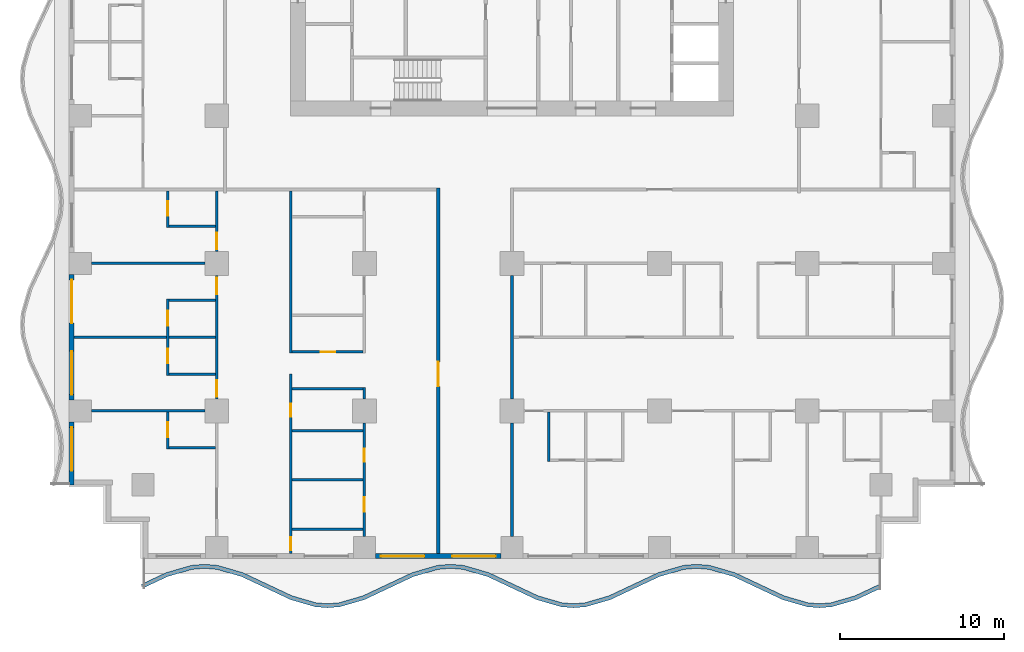
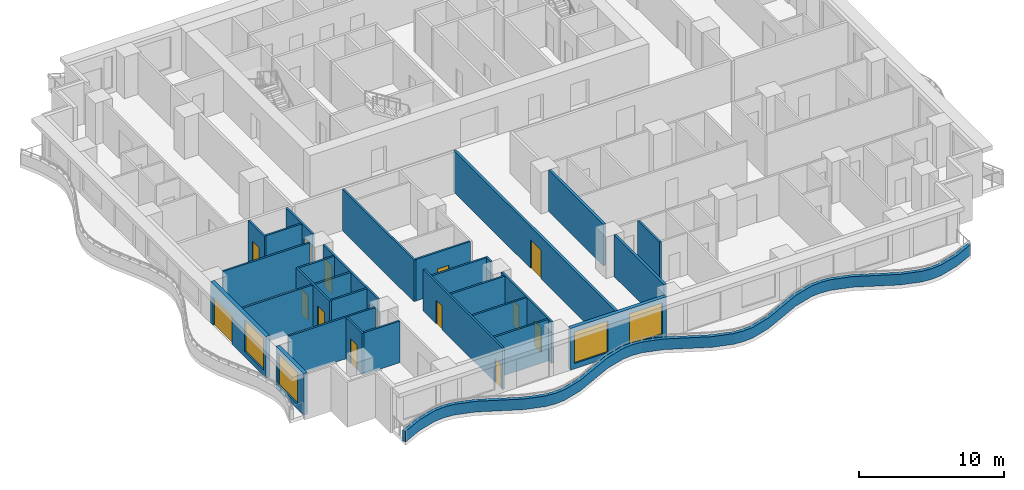
# One storey, part 2 of 14: 30 walls, 14 doors, 4 windows, 18 openings.
"""IFC4 building model written with IfcOpenShell, lengths in metres."""

from ifc_helpers import new_model, si_unit, direction, frame, frame_2d, origin, place, context, subcontext, project, spatial, polyline, rectangle, outline, extrude, material, layer, layer_set, type_object, element, fill, save


model = new_model("IFC4")

# Units and contexts
model_context = context("Model", 3, precision=1e-05, world=origin(), true_north=direction((0.0, 1.0)))
body_context = subcontext(model_context, "Body", "Model", "MODEL_VIEW")
ifc_project = project(units=[si_unit("LENGTHUNIT", "METRE"), si_unit("AREAUNIT", "SQUARE_METRE"), si_unit("VOLUMEUNIT", "CUBIC_METRE"), si_unit("PLANEANGLEUNIT", "RADIAN"), si_unit("MASSUNIT", "GRAM", prefix="KILO")], contexts=[model_context])

# Site, building, storey
site_placement = place(None, origin())
site = spatial("IfcSite", under=ifc_project, at=site_placement, CompositionType="ELEMENT")
building_placement = place(site_placement, origin())
building = spatial("IfcBuilding", under=site, at=building_placement, Name="Orbiselva Terraces", CompositionType="ELEMENT")
storey_placement = place(building_placement, frame((0.0, 0.0, 60.6)))
storey = spatial("IfcBuildingStorey", under=building, at=storey_placement, Name="L15", CompositionType="ELEMENT", Elevation=60.6)

# Wall
ifc_material_1 = material(Name="Concrete C40/50", Category="concrete")
ifc_layer_1 = layer(ifc_material_1, 0.25)
ifc_layer_set_1 = layer_set([ifc_layer_1], Name="Concrete C40/50")
wall_type_1 = type_object("IfcWallType", Name="ENV-PLANTER-250x900", PredefinedType="USERDEFINED", material=ifc_layer_set_1)
wall_1_placement = place(storey_placement, origin())
element("IfcWall", 1, at=wall_1_placement, inside=storey, type_object=wall_type_1, Name="Balcony planter L15 S", ObjectType="PLANTER", PredefinedType="USERDEFINED", context=body_context, shape_type="SweptSolid", body=[
    extrude(outline(polyline([(-22.5, -24.3), (-21.0, -23.594658), (-19.5, -23.158732), (-18.75, -23.1), (-18.0, -23.158732), (-16.5, -23.594658), (-15.0, -24.3), (-13.5, -25.005342), (-12.0, -25.441268), (-11.25, -25.5), (-10.5, -25.441268), (-9.0, -25.005342), (-7.5, -24.3), (-6.0, -23.594658), (-4.5, -23.158732), (-3.75, -23.1), (-3.0, -23.158732), (-1.5, -23.594658), (0.0, -24.3), (1.5, -25.005342), (3.0, -25.441268), (3.75, -25.5), (4.5, -25.441268), (6.0, -25.005342), (7.5, -24.3), (9.0, -23.594658), (10.5, -23.158732), (11.25, -23.1), (12.0, -23.158732), (13.5, -23.594658), (15.0, -24.3), (16.5, -25.005342), (18.0, -25.441268), (18.75, -25.5), (19.5, -25.441268), (21.0, -25.005342), (22.5, -24.3), (22.393617, -24.073764), (20.911382, -24.770753), (19.454886, -25.194035), (18.75, -25.249235), (18.045114, -25.194035), (16.588618, -24.770753), (15.106383, -24.073764), (13.588618, -23.360069), (12.045114, -22.911499), (11.25, -22.849235), (10.454886, -22.911499), (8.911382, -23.360069), (7.393617, -24.073764), (5.911382, -24.770753), (4.454886, -25.194035), (3.75, -25.249235), (3.045114, -25.194035), (1.588618, -24.770753), (0.106383, -24.073764), (-1.411382, -23.360069), (-2.954886, -22.911499), (-3.75, -22.849235), (-4.545114, -22.911499), (-6.088618, -23.360069), (-7.606383, -24.073764), (-9.088618, -24.770753), (-10.545114, -25.194035), (-11.25, -25.249235), (-11.954886, -25.194035), (-13.411382, -24.770753), (-14.893617, -24.073764), (-16.411382, -23.360069), (-17.954886, -22.911499), (-18.75, -22.849235), (-19.545114, -22.911499), (-21.088618, -23.360069), (-22.606383, -24.073764), (-22.5, -24.3)])), origin(), (0.0, 0.0, 1.0), 0.9),
])

# Wall, openings, windows
ifc_material_2 = material(Name="Terracotta cladding on masonry backing", Category="masonry")
ifc_layer_2 = layer(ifc_material_2, 0.3)
ifc_layer_set_2 = layer_set([ifc_layer_2], Name="Terracotta cladding on masonry backing")
wall_type_2 = type_object("IfcWallType", Name="ENV-WALL-TERRACOTTA-300", PredefinedType="SOLIDWALL", material=ifc_layer_set_2)
wall_2_placement = place(storey_placement, frame((-0.675, -22.35, 0.0), z_axis=(0.0, 0.0, 1.0), x_axis=(-1.0, 0.0, 0.0)))
wall_2 = element("IfcWall", 2, at=wall_2_placement, inside=storey, type_object=wall_type_2, Name="Facade wall L15 S", PredefinedType="SOLIDWALL", context=body_context, shape_type="SweptSolid", body=[
    extrude(rectangle(XDim=7.65, YDim=0.3, at=frame_2d((3.825, 0.0))), origin(), (0.0, 0.0, 1.0), 3.5),
])
opening_1_placement = place(wall_2_placement, frame((4.675, 0.0, 0.45)))
opening_1 = element("IfcOpeningElement", 3, at=opening_1_placement, cuts=wall_2, Name="Opening WN3", PredefinedType="OPENING", context=body_context, shape_type="SweptSolid", body=[
    extrude(rectangle(XDim=2.65, YDim=2.65, at=frame_2d((1.325, 1.325))), frame((0.0, 0.16, 0.0), z_axis=(0.0, -1.0, 0.0), x_axis=(1.0, 0.0, 0.0)), (0.0, 0.0, 1.0), 0.32),
])
opening_2_placement = place(wall_2_placement, frame((0.325, 0.0, 0.45)))
opening_2 = element("IfcOpeningElement", 4, at=opening_2_placement, cuts=wall_2, Name="Opening WN3", PredefinedType="OPENING", context=body_context, shape_type="SweptSolid", body=[
    extrude(rectangle(XDim=2.65, YDim=2.65, at=frame_2d((1.325, 1.325))), frame((0.0, 0.16, 0.0), z_axis=(0.0, -1.0, 0.0), x_axis=(1.0, 0.0, 0.0)), (0.0, 0.0, 1.0), 0.32),
])
ifc_material_3 = material(Name="Clear low-e glazing in aluminium frame", Category="aluminium")
window_type = type_object("IfcWindowType", Name="WINDOW 2650 X 2650 S450", PartitioningType="TRIPLE_PANEL_VERTICAL", PredefinedType="WINDOW", material=ifc_material_3)
window_1_placement = place(opening_1_placement, origin())
window_1 = element("IfcWindow", 5, at=window_1_placement, inside=storey, type_object=window_type, Name="Window L15 S", OverallHeight=2.65, OverallWidth=2.65, PartitioningType="SINGLE_PANEL", PredefinedType="WINDOW", context=body_context, shape_type="SweptSolid", body=[
    extrude(rectangle(XDim=2.65, YDim=2.65, at=frame_2d((1.325, 1.325))), frame((0.0, 0.03, 0.0), z_axis=(0.0, -1.0, 0.0), x_axis=(1.0, 0.0, 0.0)), (0.0, 0.0, 1.0), 0.06),
])
fill(opening_1, window_1)
window_2_placement = place(opening_2_placement, origin())
window_2 = element("IfcWindow", 6, at=window_2_placement, inside=storey, type_object=window_type, Name="Window L15 S", OverallHeight=2.65, OverallWidth=2.65, PartitioningType="SINGLE_PANEL", PredefinedType="WINDOW", context=body_context, shape_type="SweptSolid", body=[
    extrude(rectangle(XDim=2.65, YDim=2.65, at=frame_2d((1.325, 1.325))), frame((0.0, 0.03, 0.0), z_axis=(0.0, -1.0, 0.0), x_axis=(1.0, 0.0, 0.0)), (0.0, 0.0, 1.0), 0.06),
])
fill(opening_2, window_2)

# Wall, openings, door, window
wall_3_placement = place(storey_placement, frame((-26.85, -12.825, 0.0), z_axis=(0.0, 0.0, 1.0), x_axis=(0.0, 1.0, 0.0)))
wall_3 = element("IfcWall", 7, at=wall_3_placement, inside=storey, type_object=wall_type_2, Name="Facade wall L15 W", PredefinedType="SOLIDWALL", context=body_context, shape_type="SweptSolid", body=[
    extrude(rectangle(XDim=7.65, YDim=0.3, at=frame_2d((3.825, 0.0))), origin(), (0.0, 0.0, 1.0), 3.5),
])
opening_3_placement = place(wall_3_placement, frame((4.675, 0.0, 0.0)))
opening_3 = element("IfcOpeningElement", 8, at=opening_3_placement, cuts=wall_3, Name="Opening Z1-E-E17", PredefinedType="OPENING", context=body_context, shape_type="SweptSolid", body=[
    extrude(rectangle(XDim=2.65, YDim=2.4, at=frame_2d((1.325, 1.2))), frame((0.0, 0.16, 0.0), z_axis=(0.0, -1.0, 0.0), x_axis=(1.0, 0.0, 0.0)), (0.0, 0.0, 1.0), 0.32),
])
opening_4_placement = place(wall_3_placement, frame((0.325, 0.0, 0.45)))
opening_4 = element("IfcOpeningElement", 9, at=opening_4_placement, cuts=wall_3, Name="Opening WN3", PredefinedType="OPENING", context=body_context, shape_type="SweptSolid", body=[
    extrude(rectangle(XDim=2.65, YDim=2.65, at=frame_2d((1.325, 1.325))), frame((0.0, 0.16, 0.0), z_axis=(0.0, -1.0, 0.0), x_axis=(1.0, 0.0, 0.0)), (0.0, 0.0, 1.0), 0.32),
])
door_type_1 = type_object("IfcDoorType", Name="BALCONY DOOR 2650 X 2400", OperationType="DOUBLE_DOOR_SLIDING", PredefinedType="DOOR", material=ifc_material_3)
door_1_placement = place(opening_3_placement, origin())
door_1 = element("IfcDoor", 10, at=door_1_placement, inside=storey, type_object=door_type_1, Name="Z1-E-E17", OperationType="SINGLE_SWING_LEFT", OverallHeight=2.4, OverallWidth=2.65, PredefinedType="DOOR", context=body_context, shape_type="SweptSolid", body=[
    extrude(rectangle(XDim=2.65, YDim=2.4, at=frame_2d((1.325, 1.2))), frame((0.0, 0.025, 0.0), z_axis=(0.0, -1.0, 0.0), x_axis=(1.0, 0.0, 0.0)), (0.0, 0.0, 1.0), 0.05),
])
fill(opening_3, door_1)
window_3_placement = place(opening_4_placement, origin())
window_3 = element("IfcWindow", 11, at=window_3_placement, inside=storey, type_object=window_type, Name="Window L15 W", OverallHeight=2.65, OverallWidth=2.65, PartitioningType="SINGLE_PANEL", PredefinedType="WINDOW", context=body_context, shape_type="SweptSolid", body=[
    extrude(rectangle(XDim=2.65, YDim=2.65, at=frame_2d((1.325, 1.325))), frame((0.0, 0.03, 0.0), z_axis=(0.0, -1.0, 0.0), x_axis=(1.0, 0.0, 0.0)), (0.0, 0.0, 1.0), 0.06),
])
fill(opening_4, window_3)

# Wall, opening, window
wall_4_placement = place(storey_placement, frame((-26.85, -18.0, 0.0), z_axis=(0.0, 0.0, 1.0), x_axis=(0.0, 1.0, 0.0)))
wall_4 = element("IfcWall", 12, at=wall_4_placement, inside=storey, type_object=wall_type_2, Name="Facade wall L15 W", PredefinedType="SOLIDWALL", context=body_context, shape_type="SweptSolid", body=[
    extrude(rectangle(XDim=3.825, YDim=0.3, at=frame_2d((1.9125, 0.0))), origin(), (0.0, 0.0, 1.0), 3.5),
])
opening_5_placement = place(wall_4_placement, frame((0.85, 0.0, 0.45)))
opening_5 = element("IfcOpeningElement", 13, at=opening_5_placement, cuts=wall_4, Name="Opening WN3", PredefinedType="OPENING", context=body_context, shape_type="SweptSolid", body=[
    extrude(rectangle(XDim=2.65, YDim=2.65, at=frame_2d((1.325, 1.325))), frame((0.0, 0.16, 0.0), z_axis=(0.0, -1.0, 0.0), x_axis=(1.0, 0.0, 0.0)), (0.0, 0.0, 1.0), 0.32),
])
window_4_placement = place(opening_5_placement, origin())
window_4 = element("IfcWindow", 14, at=window_4_placement, inside=storey, type_object=window_type, Name="Window L15 W", OverallHeight=2.65, OverallWidth=2.65, PartitioningType="SINGLE_PANEL", PredefinedType="WINDOW", context=body_context, shape_type="SweptSolid", body=[
    extrude(rectangle(XDim=2.65, YDim=2.65, at=frame_2d((1.325, 1.325))), frame((0.0, 0.03, 0.0), z_axis=(0.0, -1.0, 0.0), x_axis=(1.0, 0.0, 0.0)), (0.0, 0.0, 1.0), 0.06),
])
fill(opening_5, window_4)

# Wall, opening, door
ifc_material_4 = material(Name="Plasterboard on steel stud partition", Category="steel")
ifc_layer_3 = layer(ifc_material_4, 0.2)
ifc_layer_set_3 = layer_set([ifc_layer_3], Name="Plasterboard on steel stud partition")
wall_type_3 = type_object("IfcWallType", Name="UNIT-ENTRANCE-WALL-200", PredefinedType="PARTITIONING", material=ifc_layer_set_3)
wall_5_placement = place(storey_placement, frame((-4.5, -22.2, 0.0), z_axis=(0.0, 0.0, 1.0), x_axis=(0.0, 1.0, 0.0)))
wall_5 = element("IfcWall", 15, at=wall_5_placement, inside=storey, type_object=wall_type_3, Name="PARTITION L15-063", PredefinedType="PARTITIONING", context=body_context, shape_type="SweptSolid", body=[
    extrude(rectangle(XDim=22.3, YDim=0.2, at=frame_2d((11.15, 0.0))), origin(), (0.0, 0.0, 1.0), 3.5),
])
opening_6_placement = place(wall_5_placement, frame((10.2, 0.0, 0.0)))
opening_6 = element("IfcOpeningElement", 16, at=opening_6_placement, cuts=wall_5, Name="Opening Z1-E-15", PredefinedType="OPENING", context=body_context, shape_type="SweptSolid", body=[
    extrude(rectangle(XDim=1.5, YDim=2.4, at=frame_2d((0.75, 1.2))), frame((0.0, 0.11, 0.0), z_axis=(0.0, -1.0, 0.0), x_axis=(1.0, 0.0, 0.0)), (0.0, 0.0, 1.0), 0.22),
])
ifc_material_5 = material(Name="Painted timber door leaf", Category="wood")
door_type_2 = type_object("IfcDoorType", Name="ENTRANCE DOUBLE DOOR 1500", OperationType="NOTDEFINED", PredefinedType="DOOR", material=ifc_material_5)
door_2_placement = place(opening_6_placement, origin())
door_2 = element("IfcDoor", 17, at=door_2_placement, inside=storey, type_object=door_type_2, Name="Z1-E-15", OperationType="DOUBLE_DOOR_SINGLE_SWING", OverallHeight=2.4, OverallWidth=1.5, PredefinedType="DOOR", context=body_context, shape_type="SweptSolid", body=[
    extrude(rectangle(XDim=1.5, YDim=2.4, at=frame_2d((0.75, 1.2))), frame((0.0, 0.025, 0.0), z_axis=(0.0, -1.0, 0.0), x_axis=(1.0, 0.0, 0.0)), (0.0, 0.0, 1.0), 0.05),
])
fill(opening_6, door_2)

# Walls
wall_6_placement = place(storey_placement, frame((0.0, -21.15, 0.0), z_axis=(0.0, 0.0, 1.0), x_axis=(0.0, 1.0, 0.0)))
element("IfcWall", 18, at=wall_6_placement, inside=storey, type_object=wall_type_3, Name="PARTITION L15-064", PredefinedType="PARTITIONING", context=body_context, shape_type="SweptSolid", body=[
    extrude(rectangle(XDim=6.925, YDim=0.2, at=frame_2d((3.4625, 0.0))), origin(), (0.0, 0.0, 1.0), 3.5),
])
wall_7_placement = place(storey_placement, frame((0.0, -12.775, 0.0), z_axis=(0.0, 0.0, 1.0), x_axis=(0.0, 1.0, 0.0)))
element("IfcWall", 19, at=wall_7_placement, inside=storey, type_object=wall_type_3, Name="PARTITION L15-065", PredefinedType="PARTITIONING", context=body_context, shape_type="SweptSolid", body=[
    extrude(rectangle(XDim=7.55, YDim=0.2, at=frame_2d((3.775, 0.0))), origin(), (0.0, 0.0, 1.0), 3.5),
])
ifc_layer_4 = layer(ifc_material_4, 0.15)
ifc_layer_set_4 = layer_set([ifc_layer_4], Name="Plasterboard on steel stud partition")
wall_type_4 = type_object("IfcWallType", Name="UNIT-PARTITION-150", PredefinedType="PARTITIONING", material=ifc_layer_set_4)
for number, where, z_axis, x_axis, name in (
    (20, (-13.425, -20.7, 0.0), (0.0, 0.0, 1.0), (1.0, 0.0, 0.0), "PARTITION L15-001"),
    (21, (-13.425, -17.7, 0.0), (0.0, 0.0, 1.0), (1.0, 0.0, 0.0), "PARTITION L15-002"),
):
    element("IfcWall", number, at=place(storey_placement, frame(where, z_axis=z_axis, x_axis=x_axis)), inside=storey, type_object=wall_type_4, Name=name, PredefinedType="PARTITIONING", context=body_context, shape_type="SweptSolid", body=[
        extrude(rectangle(XDim=4.35, YDim=0.15, at=frame_2d((2.175, 0.0))), origin(), (0.0, 0.0, 1.0), 3.5),
    ])
wall_8_placement = place(storey_placement, frame((-20.925, -15.75, 0.0), z_axis=(0.0, 0.0, 1.0), x_axis=(1.0, 0.0, 0.0)))
element("IfcWall", 22, at=wall_8_placement, inside=storey, type_object=wall_type_4, Name="PARTITION L15-007", PredefinedType="PARTITIONING", context=body_context, shape_type="SweptSolid", body=[
    extrude(rectangle(XDim=2.85, YDim=0.15, at=frame_2d((1.425, 0.0))), origin(), (0.0, 0.0, 1.0), 3.5),
])
wall_9_placement = place(storey_placement, frame((-13.425, -14.7, 0.0), z_axis=(0.0, 0.0, 1.0), x_axis=(1.0, 0.0, 0.0)))
element("IfcWall", 23, at=wall_9_placement, inside=storey, type_object=wall_type_4, Name="PARTITION L15-008", PredefinedType="PARTITIONING", context=body_context, shape_type="SweptSolid", body=[
    extrude(rectangle(XDim=4.35, YDim=0.15, at=frame_2d((2.175, 0.0))), origin(), (0.0, 0.0, 1.0), 3.5),
])
wall_10_placement = place(storey_placement, frame((-25.65, -13.5, 0.0), z_axis=(0.0, 0.0, 1.0), x_axis=(1.0, 0.0, 0.0)))
element("IfcWall", 24, at=wall_10_placement, inside=storey, type_object=wall_type_4, Name="PARTITION L15-009", PredefinedType="PARTITIONING", context=body_context, shape_type="SweptSolid", body=[
    extrude(rectangle(XDim=6.925, YDim=0.15, at=frame_2d((3.4625, 0.0))), origin(), (0.0, 0.0, 1.0), 3.5),
])
wall_11_placement = place(storey_placement, frame((-13.425, -12.15, 0.0), z_axis=(0.0, 0.0, 1.0), x_axis=(1.0, 0.0, 0.0)))
element("IfcWall", 25, at=wall_11_placement, inside=storey, type_object=wall_type_4, Name="PARTITION L15-013", PredefinedType="PARTITIONING", context=body_context, shape_type="SweptSolid", body=[
    extrude(rectangle(XDim=4.35, YDim=0.15, at=frame_2d((2.175, 0.0))), origin(), (0.0, 0.0, 1.0), 3.5),
])
wall_12_placement = place(storey_placement, frame((-20.925, -11.25, 0.0), z_axis=(0.0, 0.0, 1.0), x_axis=(1.0, 0.0, 0.0)))
element("IfcWall", 26, at=wall_12_placement, inside=storey, type_object=wall_type_4, Name="PARTITION L15-014", PredefinedType="PARTITIONING", context=body_context, shape_type="SweptSolid", body=[
    extrude(rectangle(XDim=2.85, YDim=0.15, at=frame_2d((1.425, 0.0))), origin(), (0.0, 0.0, 1.0), 3.5),
])

# Wall, opening, door
wall_13_placement = place(storey_placement, frame((-13.425, -9.9, 0.0), z_axis=(0.0, 0.0, 1.0), x_axis=(1.0, 0.0, 0.0)))
wall_13 = element("IfcWall", 27, at=wall_13_placement, inside=storey, type_object=wall_type_4, Name="PARTITION L15-015", PredefinedType="PARTITIONING", context=body_context, shape_type="SweptSolid", body=[
    extrude(rectangle(XDim=4.35, YDim=0.15, at=frame_2d((2.175, 0.0))), origin(), (0.0, 0.0, 1.0), 3.5),
])
opening_7_placement = place(wall_13_placement, frame((1.75, 0.0, 0.0)))
opening_7 = element("IfcOpeningElement", 28, at=opening_7_placement, cuts=wall_13, Name="Opening Z1-E-18", PredefinedType="OPENING", context=body_context, shape_type="SweptSolid", body=[
    extrude(rectangle(XDim=0.9, YDim=2.1, at=frame_2d((0.45, 1.05))), frame((0.0, 0.085, 0.0), z_axis=(0.0, -1.0, 0.0), x_axis=(1.0, 0.0, 0.0)), (0.0, 0.0, 1.0), 0.17),
])
door_type_3 = type_object("IfcDoorType", Name="BATH DOOR 900", OperationType="NOTDEFINED", PredefinedType="DOOR", material=ifc_material_5)
door_3_placement = place(opening_7_placement, origin())
door_3 = element("IfcDoor", 29, at=door_3_placement, inside=storey, type_object=door_type_3, Name="Z1-E-18", OperationType="SINGLE_SWING_RIGHT", OverallHeight=2.1, OverallWidth=0.9, PredefinedType="DOOR", context=body_context, shape_type="SweptSolid", body=[
    extrude(rectangle(XDim=0.9, YDim=2.1, at=frame_2d((0.45, 1.05))), frame((0.0, 0.025, 0.0), z_axis=(0.0, -1.0, 0.0), x_axis=(1.0, 0.0, 0.0)), (0.0, 0.0, 1.0), 0.05),
])
fill(opening_7, door_3)

# Walls
wall_14_placement = place(storey_placement, frame((-26.7, -9.0, 0.0), z_axis=(0.0, 0.0, 1.0), x_axis=(1.0, 0.0, 0.0)))
element("IfcWall", 30, at=wall_14_placement, inside=storey, type_object=wall_type_4, Name="PARTITION L15-016", PredefinedType="PARTITIONING", context=body_context, shape_type="SweptSolid", body=[
    extrude(rectangle(XDim=5.625, YDim=0.15, at=frame_2d((2.8125, 0.0))), origin(), (0.0, 0.0, 1.0), 3.5),
])
for number, where, z_axis, x_axis, name in (
    (31, (-20.925, -9.0, 0.0), (0.0, 0.0, 1.0), (1.0, 0.0, 0.0), "PARTITION L15-017"),
    (32, (-20.925, -6.75, 0.0), (0.0, 0.0, 1.0), (1.0, 0.0, 0.0), "PARTITION L15-021"),
):
    element("IfcWall", number, at=place(storey_placement, frame(where, z_axis=z_axis, x_axis=x_axis)), inside=storey, type_object=wall_type_4, Name=name, PredefinedType="PARTITIONING", context=body_context, shape_type="SweptSolid", body=[
        extrude(rectangle(XDim=2.85, YDim=0.15, at=frame_2d((1.425, 0.0))), origin(), (0.0, 0.0, 1.0), 3.5),
    ])
wall_15_placement = place(storey_placement, frame((-25.65, -4.5, 0.0), z_axis=(0.0, 0.0, 1.0), x_axis=(1.0, 0.0, 0.0)))
element("IfcWall", 33, at=wall_15_placement, inside=storey, type_object=wall_type_4, Name="PARTITION L15-022", PredefinedType="PARTITIONING", context=body_context, shape_type="SweptSolid", body=[
    extrude(rectangle(XDim=6.925, YDim=0.15, at=frame_2d((3.4625, 0.0))), origin(), (0.0, 0.0, 1.0), 3.5),
])
wall_16_placement = place(storey_placement, frame((-20.925, -2.25, 0.0), z_axis=(0.0, 0.0, 1.0), x_axis=(1.0, 0.0, 0.0)))
element("IfcWall", 34, at=wall_16_placement, inside=storey, type_object=wall_type_4, Name="PARTITION L15-027", PredefinedType="PARTITIONING", context=body_context, shape_type="SweptSolid", body=[
    extrude(rectangle(XDim=2.85, YDim=0.15, at=frame_2d((1.425, 0.0))), origin(), (0.0, 0.0, 1.0), 3.5),
])

# Wall, opening, door
wall_17_placement = place(storey_placement, frame((-21.0, -13.575, 0.0), z_axis=(0.0, 0.0, 1.0), x_axis=(0.0, -1.0, 0.0)))
wall_17 = element("IfcWall", 35, at=wall_17_placement, inside=storey, type_object=wall_type_4, Name="PARTITION L15-047", PredefinedType="PARTITIONING", context=body_context, shape_type="SweptSolid", body=[
    extrude(rectangle(XDim=2.25, YDim=0.15, at=frame_2d((1.125, 0.0))), origin(), (0.0, 0.0, 1.0), 3.5),
])
opening_8_placement = place(wall_17_placement, frame((0.625, 0.0, 0.0)))
opening_8 = element("IfcOpeningElement", 36, at=opening_8_placement, cuts=wall_17, Name="Opening Z1-E-30", PredefinedType="OPENING", context=body_context, shape_type="SweptSolid", body=[
    extrude(rectangle(XDim=0.9, YDim=2.1, at=frame_2d((0.45, 1.05))), frame((0.0, 0.085, 0.0), z_axis=(0.0, -1.0, 0.0), x_axis=(1.0, 0.0, 0.0)), (0.0, 0.0, 1.0), 0.17),
])
door_4_placement = place(opening_8_placement, origin())
door_4 = element("IfcDoor", 37, at=door_4_placement, inside=storey, type_object=door_type_3, Name="Z1-E-30", OperationType="SINGLE_SWING_LEFT", OverallHeight=2.1, OverallWidth=0.9, PredefinedType="DOOR", context=body_context, shape_type="SweptSolid", body=[
    extrude(rectangle(XDim=0.9, YDim=2.1, at=frame_2d((0.45, 1.05))), frame((0.0, 0.025, 0.0), z_axis=(0.0, -1.0, 0.0), x_axis=(1.0, 0.0, 0.0)), (0.0, 0.0, 1.0), 0.05),
])
fill(opening_8, door_4)

# Wall, openings, doors
wall_18_placement = place(storey_placement, frame((-21.0, -6.675, 0.0), z_axis=(0.0, 0.0, 1.0), x_axis=(0.0, -1.0, 0.0)))
wall_18 = element("IfcWall", 38, at=wall_18_placement, inside=storey, type_object=wall_type_4, Name="PARTITION L15-048", PredefinedType="PARTITIONING", context=body_context, shape_type="SweptSolid", body=[
    extrude(rectangle(XDim=4.65, YDim=0.15, at=frame_2d((2.325, 0.0))), origin(), (0.0, 0.0, 1.0), 3.5),
])
opening_9_placement = place(wall_18_placement, frame((0.725, 0.0, 0.0)))
opening_9 = element("IfcOpeningElement", 39, at=opening_9_placement, cuts=wall_18, Name="Opening Z1-E-26", PredefinedType="OPENING", context=body_context, shape_type="SweptSolid", body=[
    extrude(rectangle(XDim=0.9, YDim=2.1, at=frame_2d((0.45, 1.05))), frame((0.0, 0.085, 0.0), z_axis=(0.0, -1.0, 0.0), x_axis=(1.0, 0.0, 0.0)), (0.0, 0.0, 1.0), 0.17),
])
opening_10_placement = place(wall_18_placement, frame((3.025, 0.0, 0.0)))
opening_10 = element("IfcOpeningElement", 40, at=opening_10_placement, cuts=wall_18, Name="Opening Z1-E-28", PredefinedType="OPENING", context=body_context, shape_type="SweptSolid", body=[
    extrude(rectangle(XDim=0.9, YDim=2.1, at=frame_2d((0.45, 1.05))), frame((0.0, 0.085, 0.0), z_axis=(0.0, -1.0, 0.0), x_axis=(1.0, 0.0, 0.0)), (0.0, 0.0, 1.0), 0.17),
])
door_5_placement = place(opening_9_placement, origin())
door_5 = element("IfcDoor", 41, at=door_5_placement, inside=storey, type_object=door_type_3, Name="Z1-E-26", OperationType="SINGLE_SWING_LEFT", OverallHeight=2.1, OverallWidth=0.9, PredefinedType="DOOR", context=body_context, shape_type="SweptSolid", body=[
    extrude(rectangle(XDim=0.9, YDim=2.1, at=frame_2d((0.45, 1.05))), frame((0.0, 0.025, 0.0), z_axis=(0.0, -1.0, 0.0), x_axis=(1.0, 0.0, 0.0)), (0.0, 0.0, 1.0), 0.05),
])
fill(opening_9, door_5)
door_6_placement = place(opening_10_placement, origin())
door_6 = element("IfcDoor", 42, at=door_6_placement, inside=storey, type_object=door_type_3, Name="Z1-E-28", OperationType="SINGLE_SWING_RIGHT", OverallHeight=2.1, OverallWidth=0.9, PredefinedType="DOOR", context=body_context, shape_type="SweptSolid", body=[
    extrude(rectangle(XDim=0.9, YDim=2.1, at=frame_2d((0.45, 1.05))), frame((0.0, 0.025, 0.0), z_axis=(0.0, -1.0, 0.0), x_axis=(1.0, 0.0, 0.0)), (0.0, 0.0, 1.0), 0.05),
])
fill(opening_10, door_6)

# Wall, opening, door
wall_19_placement = place(storey_placement, frame((-21.0, -0.1, 0.0), z_axis=(0.0, 0.0, 1.0), x_axis=(0.0, -1.0, 0.0)))
wall_19 = element("IfcWall", 43, at=wall_19_placement, inside=storey, type_object=wall_type_4, Name="PARTITION L15-049", PredefinedType="PARTITIONING", context=body_context, shape_type="SweptSolid", body=[
    extrude(rectangle(XDim=2.225, YDim=0.15, at=frame_2d((1.1125, 0.0))), origin(), (0.0, 0.0, 1.0), 3.5),
])
opening_11_placement = place(wall_19_placement, frame((0.6, 0.0, 0.0)))
opening_11 = element("IfcOpeningElement", 44, at=opening_11_placement, cuts=wall_19, Name="Opening Z1-E-24", PredefinedType="OPENING", context=body_context, shape_type="SweptSolid", body=[
    extrude(rectangle(XDim=0.9, YDim=2.1, at=frame_2d((0.45, 1.05))), frame((0.0, 0.085, 0.0), z_axis=(0.0, -1.0, 0.0), x_axis=(1.0, 0.0, 0.0)), (0.0, 0.0, 1.0), 0.17),
])
door_7_placement = place(opening_11_placement, origin())
door_7 = element("IfcDoor", 45, at=door_7_placement, inside=storey, type_object=door_type_3, Name="Z1-E-24", OperationType="SINGLE_SWING_LEFT", OverallHeight=2.1, OverallWidth=0.9, PredefinedType="DOOR", context=body_context, shape_type="SweptSolid", body=[
    extrude(rectangle(XDim=0.9, YDim=2.1, at=frame_2d((0.45, 1.05))), frame((0.0, 0.025, 0.0), z_axis=(0.0, -1.0, 0.0), x_axis=(1.0, 0.0, 0.0)), (0.0, 0.0, 1.0), 0.05),
])
fill(opening_11, door_7)

# Wall, openings, doors
wall_20_placement = place(storey_placement, frame((-18.0, -12.775, 0.0), z_axis=(0.0, 0.0, 1.0), x_axis=(0.0, 1.0, 0.0)))
wall_20 = element("IfcWall", 46, at=wall_20_placement, inside=storey, type_object=wall_type_4, Name="PARTITION L15-051", PredefinedType="PARTITIONING", context=body_context, shape_type="SweptSolid", body=[
    extrude(rectangle(XDim=7.55, YDim=0.15, at=frame_2d((3.775, 0.0))), origin(), (0.0, 0.0, 1.0), 3.5),
])
opening_12_placement = place(wall_20_placement, frame((6.4, 0.0, 0.0)))
opening_12 = element("IfcOpeningElement", 47, at=opening_12_placement, cuts=wall_20, Name="Opening Z1-E-25", PredefinedType="OPENING", context=body_context, shape_type="SweptSolid", body=[
    extrude(rectangle(XDim=1.0, YDim=2.4, at=frame_2d((0.5, 1.2))), frame((0.0, 0.085, 0.0), z_axis=(0.0, -1.0, 0.0), x_axis=(1.0, 0.0, 0.0)), (0.0, 0.0, 1.0), 0.17),
])
opening_13_placement = place(wall_20_placement, frame((0.15, 0.0, 0.0)))
opening_13 = element("IfcOpeningElement", 48, at=opening_13_placement, cuts=wall_20, Name="Opening Z1-E-27", PredefinedType="OPENING", context=body_context, shape_type="SweptSolid", body=[
    extrude(rectangle(XDim=1.0, YDim=2.4, at=frame_2d((0.5, 1.2))), frame((0.0, 0.085, 0.0), z_axis=(0.0, -1.0, 0.0), x_axis=(1.0, 0.0, 0.0)), (0.0, 0.0, 1.0), 0.17),
])
door_type_4 = type_object("IfcDoorType", Name="ROOM DOOR 1000", OperationType="NOTDEFINED", PredefinedType="DOOR", material=ifc_material_5)
door_8_placement = place(opening_12_placement, origin())
door_8 = element("IfcDoor", 49, at=door_8_placement, inside=storey, type_object=door_type_4, Name="Z1-E-25", OperationType="SINGLE_SWING_RIGHT", OverallHeight=2.4, OverallWidth=1.0, PredefinedType="DOOR", context=body_context, shape_type="SweptSolid", body=[
    extrude(rectangle(XDim=1.0, YDim=2.4, at=frame_2d((0.5, 1.2))), frame((0.0, 0.025, 0.0), z_axis=(0.0, -1.0, 0.0), x_axis=(1.0, 0.0, 0.0)), (0.0, 0.0, 1.0), 0.05),
])
fill(opening_12, door_8)
door_9_placement = place(opening_13_placement, origin())
door_9 = element("IfcDoor", 50, at=door_9_placement, inside=storey, type_object=door_type_4, Name="Z1-E-27", OperationType="SINGLE_SWING_LEFT", OverallHeight=2.4, OverallWidth=1.0, PredefinedType="DOOR", context=body_context, shape_type="SweptSolid", body=[
    extrude(rectangle(XDim=1.0, YDim=2.4, at=frame_2d((0.5, 1.2))), frame((0.0, 0.025, 0.0), z_axis=(0.0, -1.0, 0.0), x_axis=(1.0, 0.0, 0.0)), (0.0, 0.0, 1.0), 0.05),
])
fill(opening_13, door_9)

# Wall, opening, door
wall_21_placement = place(storey_placement, frame((-18.0, -3.775, 0.0), z_axis=(0.0, 0.0, 1.0), x_axis=(0.0, 1.0, 0.0)))
wall_21 = element("IfcWall", 51, at=wall_21_placement, inside=storey, type_object=wall_type_4, Name="PARTITION L15-052", PredefinedType="PARTITIONING", context=body_context, shape_type="SweptSolid", body=[
    extrude(rectangle(XDim=3.675, YDim=0.15, at=frame_2d((1.8375, 0.0))), origin(), (0.0, 0.0, 1.0), 3.5),
])
opening_14_placement = place(wall_21_placement, frame((0.15, 0.0, 0.0)))
opening_14 = element("IfcOpeningElement", 52, at=opening_14_placement, cuts=wall_21, Name="Opening Z1-E-23", PredefinedType="OPENING", context=body_context, shape_type="SweptSolid", body=[
    extrude(rectangle(XDim=1.0, YDim=2.4, at=frame_2d((0.5, 1.2))), frame((0.0, 0.085, 0.0), z_axis=(0.0, -1.0, 0.0), x_axis=(1.0, 0.0, 0.0)), (0.0, 0.0, 1.0), 0.17),
])
door_10_placement = place(opening_14_placement, origin())
door_10 = element("IfcDoor", 53, at=door_10_placement, inside=storey, type_object=door_type_4, Name="Z1-E-23", OperationType="SINGLE_SWING_LEFT", OverallHeight=2.4, OverallWidth=1.0, PredefinedType="DOOR", context=body_context, shape_type="SweptSolid", body=[
    extrude(rectangle(XDim=1.0, YDim=2.4, at=frame_2d((0.5, 1.2))), frame((0.0, 0.025, 0.0), z_axis=(0.0, -1.0, 0.0), x_axis=(1.0, 0.0, 0.0)), (0.0, 0.0, 1.0), 0.05),
])
fill(opening_14, door_10)

# Wall, openings, doors
wall_22_placement = place(storey_placement, frame((-13.5, -11.25, 0.0), z_axis=(0.0, 0.0, 1.0), x_axis=(0.0, -1.0, 0.0)))
wall_22 = element("IfcWall", 54, at=wall_22_placement, inside=storey, type_object=wall_type_4, Name="PARTITION L15-057", PredefinedType="PARTITIONING", context=body_context, shape_type="SweptSolid", body=[
    extrude(rectangle(XDim=10.95, YDim=0.15, at=frame_2d((5.475, 0.0))), origin(), (0.0, 0.0, 1.0), 3.5),
])
opening_15_placement = place(wall_22_placement, frame((1.8, 0.0, 0.0)))
opening_15 = element("IfcOpeningElement", 55, at=opening_15_placement, cuts=wall_22, Name="Opening Z1-E-19", PredefinedType="OPENING", context=body_context, shape_type="SweptSolid", body=[
    extrude(rectangle(XDim=0.8, YDim=2.0, at=frame_2d((0.4, 1.0))), frame((0.0, 0.085, 0.0), z_axis=(0.0, -1.0, 0.0), x_axis=(1.0, 0.0, 0.0)), (0.0, 0.0, 1.0), 0.17),
])
opening_16_placement = place(wall_22_placement, frame((9.95, 0.0, 0.0)))
opening_16 = element("IfcOpeningElement", 56, at=opening_16_placement, cuts=wall_22, Name="Opening Z1-E-22", PredefinedType="OPENING", context=body_context, shape_type="SweptSolid", body=[
    extrude(rectangle(XDim=0.8, YDim=2.0, at=frame_2d((0.4, 1.0))), frame((0.0, 0.085, 0.0), z_axis=(0.0, -1.0, 0.0), x_axis=(1.0, 0.0, 0.0)), (0.0, 0.0, 1.0), 0.17),
])
door_type_5 = type_object("IfcDoorType", Name="STORE DOOR 800", OperationType="NOTDEFINED", PredefinedType="DOOR", material=ifc_material_5)
door_11_placement = place(opening_15_placement, origin())
door_11 = element("IfcDoor", 57, at=door_11_placement, inside=storey, type_object=door_type_5, Name="Z1-E-19", OperationType="SINGLE_SWING_LEFT", OverallHeight=2.0, OverallWidth=0.8, PredefinedType="DOOR", context=body_context, shape_type="SweptSolid", body=[
    extrude(rectangle(XDim=0.8, YDim=2.0, at=frame_2d((0.4, 1.0))), frame((0.0, 0.025, 0.0), z_axis=(0.0, -1.0, 0.0), x_axis=(1.0, 0.0, 0.0)), (0.0, 0.0, 1.0), 0.05),
])
fill(opening_15, door_11)
door_12_placement = place(opening_16_placement, origin())
door_12 = element("IfcDoor", 58, at=door_12_placement, inside=storey, type_object=door_type_5, Name="Z1-E-22", OperationType="SINGLE_SWING_RIGHT", OverallHeight=2.0, OverallWidth=0.8, PredefinedType="DOOR", context=body_context, shape_type="SweptSolid", body=[
    extrude(rectangle(XDim=0.8, YDim=2.0, at=frame_2d((0.4, 1.0))), frame((0.0, 0.025, 0.0), z_axis=(0.0, -1.0, 0.0), x_axis=(1.0, 0.0, 0.0)), (0.0, 0.0, 1.0), 0.05),
])
fill(opening_16, door_12)

# Wall
wall_23_placement = place(storey_placement, frame((-13.5, -9.975, 0.0), z_axis=(0.0, 0.0, 1.0), x_axis=(0.0, 1.0, 0.0)))
element("IfcWall", 59, at=wall_23_placement, inside=storey, type_object=wall_type_4, Name="PARTITION L15-058", PredefinedType="PARTITIONING", context=body_context, shape_type="SweptSolid", body=[
    extrude(rectangle(XDim=9.875, YDim=0.15, at=frame_2d((4.9375, 0.0))), origin(), (0.0, 0.0, 1.0), 3.5),
])

# Wall, openings, doors
wall_24_placement = place(storey_placement, frame((-9.0, -21.15, 0.0), z_axis=(0.0, 0.0, 1.0), x_axis=(0.0, 1.0, 0.0)))
wall_24 = element("IfcWall", 60, at=wall_24_placement, inside=storey, type_object=wall_type_4, Name="PARTITION L15-059", PredefinedType="PARTITIONING", context=body_context, shape_type="SweptSolid", body=[
    extrude(rectangle(XDim=6.925, YDim=0.15, at=frame_2d((3.4625, 0.0))), origin(), (0.0, 0.0, 1.0), 3.5),
])
opening_17_placement = place(wall_24_placement, frame((4.55, 0.0, 0.0)))
opening_17 = element("IfcOpeningElement", 61, at=opening_17_placement, cuts=wall_24, Name="Opening Z1-E-20", PredefinedType="OPENING", context=body_context, shape_type="SweptSolid", body=[
    extrude(rectangle(XDim=0.8, YDim=2.0, at=frame_2d((0.4, 1.0))), frame((0.0, 0.085, 0.0), z_axis=(0.0, -1.0, 0.0), x_axis=(1.0, 0.0, 0.0)), (0.0, 0.0, 1.0), 0.17),
])
opening_18_placement = place(wall_24_placement, frame((1.5, 0.0, 0.0)))
opening_18 = element("IfcOpeningElement", 62, at=opening_18_placement, cuts=wall_24, Name="Opening Z1-E-21", PredefinedType="OPENING", context=body_context, shape_type="SweptSolid", body=[
    extrude(rectangle(XDim=0.9, YDim=2.1, at=frame_2d((0.45, 1.05))), frame((0.0, 0.085, 0.0), z_axis=(0.0, -1.0, 0.0), x_axis=(1.0, 0.0, 0.0)), (0.0, 0.0, 1.0), 0.17),
])
door_type_6 = type_object("IfcDoorType", Name="SERVICE DOOR 900", OperationType="NOTDEFINED", PredefinedType="DOOR", material=ifc_material_5)
door_13_placement = place(opening_18_placement, origin())
door_13 = element("IfcDoor", 63, at=door_13_placement, inside=storey, type_object=door_type_6, Name="Z1-E-21", OperationType="SINGLE_SWING_LEFT", OverallHeight=2.1, OverallWidth=0.9, PredefinedType="DOOR", context=body_context, shape_type="SweptSolid", body=[
    extrude(rectangle(XDim=0.9, YDim=2.1, at=frame_2d((0.45, 1.05))), frame((0.0, 0.025, 0.0), z_axis=(0.0, -1.0, 0.0), x_axis=(1.0, 0.0, 0.0)), (0.0, 0.0, 1.0), 0.05),
])
fill(opening_18, door_13)
door_14_placement = place(opening_17_placement, origin())
door_14 = element("IfcDoor", 64, at=door_14_placement, inside=storey, type_object=door_type_5, Name="Z1-E-20", OperationType="SINGLE_SWING_RIGHT", OverallHeight=2.0, OverallWidth=0.8, PredefinedType="DOOR", context=body_context, shape_type="SweptSolid", body=[
    extrude(rectangle(XDim=0.8, YDim=2.0, at=frame_2d((0.4, 1.0))), frame((0.0, 0.025, 0.0), z_axis=(0.0, -1.0, 0.0), x_axis=(1.0, 0.0, 0.0)), (0.0, 0.0, 1.0), 0.05),
])
fill(opening_17, door_14)

# Walls
wall_25_placement = place(storey_placement, frame((-9.0, -12.775, 0.0), z_axis=(0.0, 0.0, 1.0), x_axis=(0.0, 1.0, 0.0)))
element("IfcWall", 65, at=wall_25_placement, inside=storey, type_object=wall_type_4, Name="PARTITION L15-060", PredefinedType="PARTITIONING", context=body_context, shape_type="SweptSolid", body=[
    extrude(rectangle(XDim=0.7, YDim=0.15, at=frame_2d((0.35, 0.0))), origin(), (0.0, 0.0, 1.0), 3.5),
])
wall_26_placement = place(storey_placement, frame((2.25, -16.575, 0.0), z_axis=(0.0, 0.0, 1.0), x_axis=(0.0, 1.0, 0.0)))
element("IfcWall", 66, at=wall_26_placement, inside=storey, type_object=wall_type_4, Name="PARTITION L15-068", PredefinedType="PARTITIONING", context=body_context, shape_type="SweptSolid", body=[
    extrude(rectangle(XDim=3.0, YDim=0.15, at=frame_2d((1.5, 0.0))), origin(), (0.0, 0.0, 1.0), 3.5),
])

save(model, "model.ifc")
